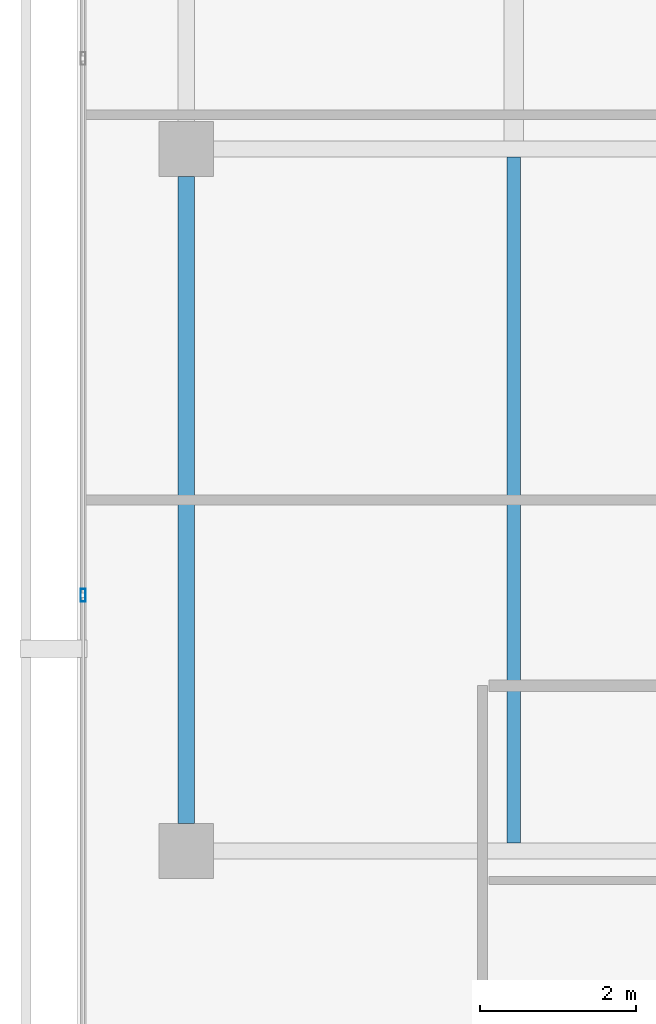
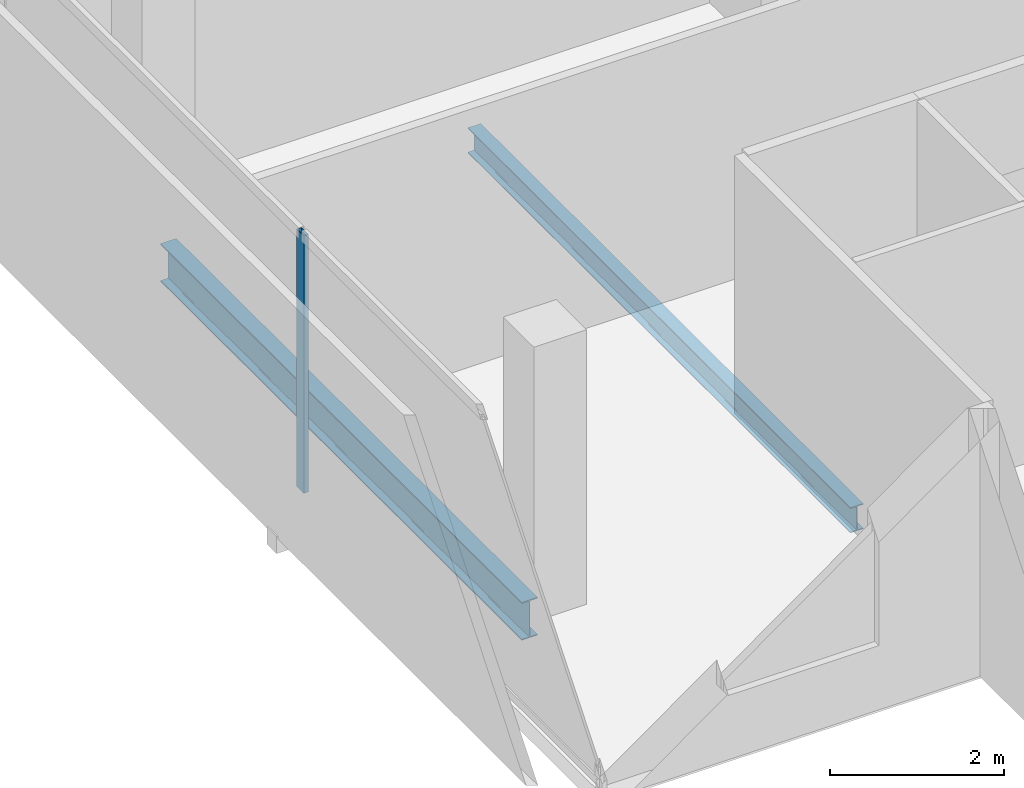
# One storey, part 4 of 25: 2 beams, 1 member, 1 element without a shape of its own.
"""IFC4 building model written with IfcOpenShell, lengths in metres."""

from ifc_helpers import new_model, si_unit, direction, frame, origin, origin_2d, place, context, subcontext, project, spatial, hollow_rectangle, i_section, extrude, material, layer, layer_set, material_profile, profile_set, type_object, element, aggregate, save


model = new_model("IFC4")

# Units and contexts
model_context = context("Model", 3, precision=1e-05, world=origin(), true_north=direction((0.0, 1.0)))
body_context = subcontext(model_context, "Body", "Model", "MODEL_VIEW")
ifc_project = project(units=[si_unit("LENGTHUNIT", "METRE"), si_unit("AREAUNIT", "SQUARE_METRE"), si_unit("VOLUMEUNIT", "CUBIC_METRE"), si_unit("PLANEANGLEUNIT", "RADIAN"), si_unit("MASSUNIT", "GRAM", prefix="KILO")], contexts=[model_context])

# Site, building, storey
site_placement = place(None, origin())
site = spatial("IfcSite", under=ifc_project, at=site_placement, CompositionType="ELEMENT")
building_placement = place(site_placement, origin())
building = spatial("IfcBuilding", under=site, at=building_placement, Name="Maruvema Waterfront Hotel and Observation Tower", CompositionType="ELEMENT")
storey_placement = place(building_placement, frame((0.0, 0.0, 250.949951171875)))
storey = spatial("IfcBuildingStorey", under=building, at=storey_placement, Name="L61", CompositionType="ELEMENT", Elevation=250.949951171875)

# Curtain wall, member
ifc_material_1 = material(Name="Anodised bronze aluminium and solar-control low-E IGU", Category="aluminium")
ifc_layer = layer(ifc_material_1, 0.159912109375, Name="Zone 3 Champagne Inner Thermal Curtain Wall System CW-04")
ifc_layer_set = layer_set([ifc_layer], Name="Anodised bronze aluminium and solar-control low-E IGU")
curtain_wall_type = type_object("IfcCurtainWallType", Name="Zone 3 Champagne Inner Thermal Curtain Wall System CW-04", PredefinedType="USERDEFINED", material=ifc_layer_set)
curtain_wall_placement = place(storey_placement, origin())
curtain_wall = element("IfcCurtainWall", 1, at=curtain_wall_placement, inside=storey, type_object=curtain_wall_type, Name="L61 Curtain Wall CW-L61-W", ObjectType="UNITISED CURTAIN WALL", PredefinedType="USERDEFINED")
ifc_material_2 = material(Name="Anodised architectural bronze aluminium", Category="aluminium")
ifc_material_profile_1 = material_profile(ifc_material_2, hollow_rectangle(XDim=0.06494140625, YDim=0.1650390625, WallThickness=0.00390625, at=origin_2d()), Name="ALU-M65x165")
ifc_profile_set_1 = profile_set([ifc_material_profile_1], Name="Anodised architectural bronze aluminium")
member_type = type_object("IfcMemberType", Name="Curtain Wall Primary Mullion ALU-M65x165", PredefinedType="MULLION", material=ifc_profile_set_1)
member_placement = place(storey_placement, frame((15.47998046875, 21.280029296875, 0.0), z_axis=(0.0, 0.0, 1.0), x_axis=(1.0, 0.0, 0.0)))
member = element("IfcMember", 2, at=member_placement, type_object=member_type, Name="CW-04 mullion 5", PredefinedType="MULLION", context=body_context, shape_type="SweptSolid", body=[
    extrude(hollow_rectangle(XDim=0.06494140625, YDim=0.1650390625, WallThickness=0.00390625, at=origin_2d()), origin(), (0.0, 0.0, 1.0), 3.610107421875),
])
aggregate(curtain_wall, [member])

# Beams
ifc_material_3 = material(Name="Steel ASTM A572 Grade 50", Category="steel")
ifc_material_profile_2 = material_profile(ifc_material_3, i_section(OverallWidth=0.208984375, OverallDepth=0.532958984375, WebThickness=0.01025390625, FlangeThickness=0.015625, FilletRadius=0.014892578125, at=origin_2d()), Name="W530x92.0")
ifc_profile_set_2 = profile_set([ifc_material_profile_2], Name="Steel ASTM A572 Grade 50")
beam_type_1 = type_object("IfcBeamType", Name="Primary Floor Girder W530x92.0", PredefinedType="BEAM", material=ifc_profile_set_2)
beam_1_placement = place(storey_placement, frame((16.800048828125, 18.35009765625, -0.50634765625), z_axis=(0.0, 1.0, 0.0), x_axis=(-1.0, 0.0, 0.0)))
element("IfcBeam", 3, at=beam_1_placement, inside=storey, type_object=beam_type_1, Name="L61 Floor Girder NS-01", PredefinedType="BEAM", context=body_context, shape_type="SweptSolid", body=[
    extrude(i_section(OverallWidth=0.208984375, OverallDepth=0.532958984375, WebThickness=0.01025390625, FlangeThickness=0.015625, FilletRadius=0.014892578125, at=origin_2d()), origin(), (0.0, 0.0, 1.0), 8.2998046875),
])
ifc_material_4 = material(Name="Steel ASTM A572 Grade 50", Category="steel")
ifc_material_profile_3 = material_profile(ifc_material_4, i_section(OverallWidth=0.1708984375, OverallDepth=0.35498046875, WebThickness=0.007080078125, FlangeThickness=0.01171875, FilletRadius=0.014892578125, at=origin_2d()), Name="W360x51.0")
ifc_profile_set_3 = profile_set([ifc_material_profile_3], Name="Steel ASTM A572 Grade 50")
beam_type_2 = type_object("IfcBeamType", Name="Secondary Floor Joist W360x51.0", PredefinedType="JOIST", material=ifc_profile_set_3)
beam_2_placement = place(storey_placement, frame((21.0, 18.1044921875, -0.41748046875), z_axis=(0.0, 1.0, 0.0), x_axis=(-1.0, 0.0, 0.0)))
element("IfcBeam", 4, at=beam_2_placement, inside=storey, type_object=beam_type_2, Name="L61 Secondary Floor Joist JS-01", PredefinedType="JOIST", context=body_context, shape_type="SweptSolid", body=[
    extrude(i_section(OverallWidth=0.1708984375, OverallDepth=0.35498046875, WebThickness=0.007080078125, FlangeThickness=0.01171875, FilletRadius=0.014892578125, at=origin_2d()), origin(), (0.0, 0.0, 1.0), 8.791015625),
])

save(model, "model.ifc")
